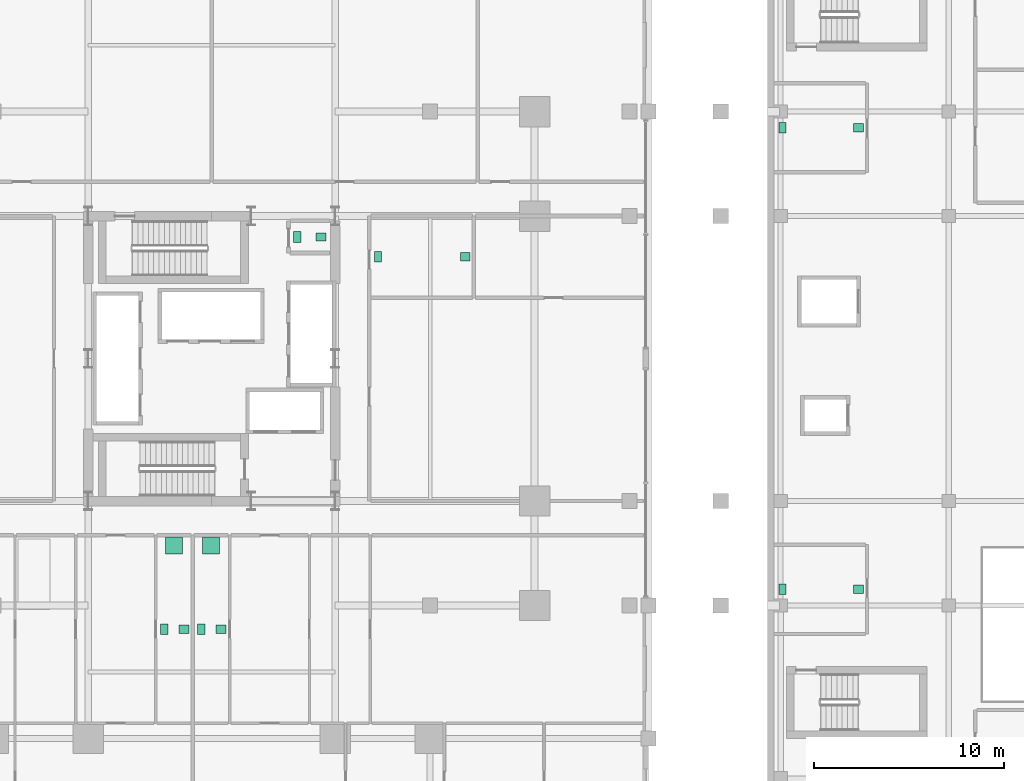
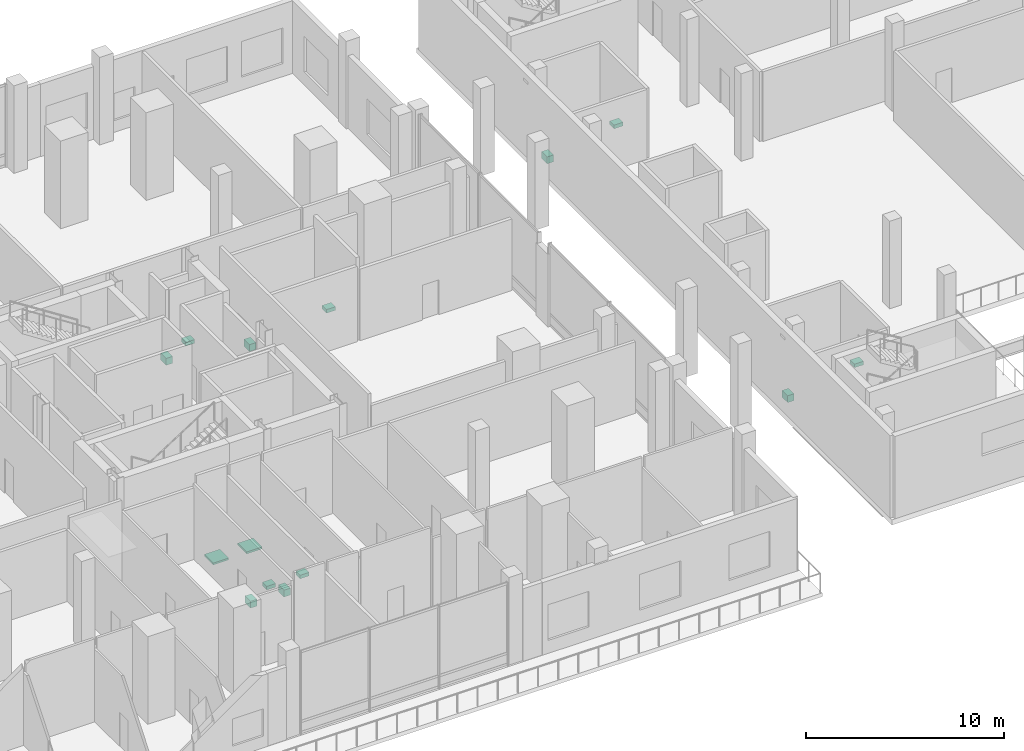
# One storey, part 32 of 32: 14 sanitary terminals.
"""IFC4 building model written with IfcOpenShell, lengths in metres."""

import ifcopenshell
import ifcopenshell.guid

model = None  # the IFC model being written
_history = None  # IfcOwnerHistory: only IFC2X3 demands one
_inside = {}  # id of a spatial element -> (the spatial element, [elements in it])
_under = {}  # id of a project, library or spatial element -> (it, [spatial elements below it])
_declared = {}  # id of a project -> (the project, [libraries it declares])
_typed = {}  # id of a type object -> (the type object, [elements of that type])
_made_of = {}  # id of a material, layer set ... -> (it, [elements and type objects made of it])


def new_model(schema):
    """Start an empty IFC model of exactly this schema.

    Asked for "IFC4X3", IfcOpenShell would pick the latest addendum, in which some entities
    have other attributes; the version numbers below select the first issue.
    IFC2X3 requires an IfcOwnerHistory on every rooted entity: one is made here for all.
    """
    global model, _history
    if schema == "IFC4X3":
        model = ifcopenshell.file(schema_version=(4, 3, 0, 0))
    else:
        model = ifcopenshell.file(schema=schema)
    _inside.clear()
    _under.clear()
    _declared.clear()
    _typed.clear()
    _made_of.clear()
    _history = None
    if model.schema == "IFC2X3":
        org = make("IfcOrganization", Name="unknown")
        user = make(
            "IfcPersonAndOrganization",
            ThePerson=make("IfcPerson", FamilyName="unknown"),
            TheOrganization=org,
        )
        app = make(
            "IfcApplication",
            ApplicationDeveloper=org,
            Version="unknown",
            ApplicationFullName="unknown",
            ApplicationIdentifier="unknown",
        )
        _history = make(
            "IfcOwnerHistory",
            OwningUser=user,
            OwningApplication=app,
            ChangeAction="ADDED",
            CreationDate=0,
        )
    return model


def make(cls, **values):
    """One entity of the class cls with the attributes given. An attribute that is None is left unset."""
    return model.create_entity(
        cls, **{name: value for name, value in values.items() if value is not None}
    )


def rooted(cls, **values):
    """An entity with a GlobalId (a new one), such as an element, a storey or a relation."""
    return make(cls, GlobalId=ifcopenshell.guid.new(), OwnerHistory=_history, **values)


def si_unit(unit_type, name, prefix=None):
    """IfcSIUnit, for example si_unit("LENGTHUNIT", "METRE", prefix="MILLI")."""
    return make("IfcSIUnit", UnitType=unit_type, Prefix=prefix, Name=name)


def assignment(units):
    """IfcUnitAssignment: the units of a project."""
    return None if units is None else make("IfcUnitAssignment", Units=units)


def point(xyz):
    """IfcCartesianPoint."""
    return None if xyz is None else make("IfcCartesianPoint", Coordinates=xyz)


def direction(xyz):
    """IfcDirection."""
    return None if xyz is None else make("IfcDirection", DirectionRatios=xyz)


def frame(location, z_axis=None, x_axis=None):
    """IfcAxis2Placement3D, a coordinate frame: its origin and axes. An axis left out is left unset."""
    return make(
        "IfcAxis2Placement3D",
        Location=point(location),
        Axis=direction(z_axis),
        RefDirection=direction(x_axis),
    )


def frame_2d(location, x_axis=None):
    """IfcAxis2Placement2D, a coordinate frame in the plane: its origin and x axis."""
    return make(
        "IfcAxis2Placement2D", Location=point(location), RefDirection=direction(x_axis)
    )


def origin():
    """The frame at (0, 0, 0) with its axes left unset."""
    return frame((0.0, 0.0, 0.0))


def origin_2d():
    """The frame at (0, 0) in the plane with its x axis left unset."""
    return frame_2d((0.0, 0.0))


def place(relative_to, where):
    """IfcLocalPlacement: puts the frame where relative to a parent placement (None: the world)."""
    return make(
        "IfcLocalPlacement", PlacementRelTo=relative_to, RelativePlacement=where
    )


def context(
    kind, dimensions, precision=None, world=None, true_north=None, identifier=None
):
    """IfcGeometricRepresentationContext, for example the 3D "Model" context."""
    return make(
        "IfcGeometricRepresentationContext",
        ContextIdentifier=identifier,
        ContextType=kind,
        CoordinateSpaceDimension=dimensions,
        Precision=precision,
        WorldCoordinateSystem=world,
        TrueNorth=true_north,
    )


def subcontext(parent, identifier, kind, view, scale=None):
    """IfcGeometricRepresentationSubContext, for example "Body" below "Model"."""
    return make(
        "IfcGeometricRepresentationSubContext",
        ContextIdentifier=identifier,
        ContextType=kind,
        ParentContext=parent,
        TargetScale=scale,
        TargetView=view,
    )


def project(units=None, contexts=None):
    """IfcProject with its units and contexts."""
    return rooted(
        "IfcProject",
        Name="project",
        RepresentationContexts=contexts,
        UnitsInContext=assignment(units),
    )


def spatial(cls, under=None, at=None, **own):
    """A site, building, storey or space (cls), placed at a placement, below another one or the project."""
    s = rooted(cls, ObjectPlacement=at, **own)
    if under is not None:
        _under.setdefault(under.id(), (under, []))[1].append(s)
    return s


def profile(cls, at=None, kind="AREA", **sizes):
    """A parametric profile (cls). Its sizes go by their IFC names, for example OverallWidth=200.0."""
    return make(cls, ProfileType=kind, Position=at, **sizes)


def rectangle(**sizes):
    """IfcRectangleProfileDef."""
    return profile("IfcRectangleProfileDef", **sizes)


def extrude(swept, where, along, depth):
    """IfcExtrudedAreaSolid: the profile swept, set in the frame where, extruded along a direction by depth."""
    return make(
        "IfcExtrudedAreaSolid",
        SweptArea=swept,
        Position=where,
        ExtrudedDirection=direction(along),
        Depth=depth,
    )


def shape(context_of_items, identifier, shape_type, items):
    """IfcShapeRepresentation: the items that make up one representation, for example the "Body"."""
    return make(
        "IfcShapeRepresentation",
        ContextOfItems=context_of_items,
        RepresentationIdentifier=identifier,
        RepresentationType=shape_type,
        Items=items,
    )


def material(Name=None, Category=None):
    """IfcMaterial."""
    return make("IfcMaterial", Name=Name, Category=Category)


def made_of(thing, what):
    """Note that an element or type object is made of a material, layer set ...; save() writes the relation."""
    if what is not None:
        _made_of.setdefault(what.id(), (what, []))[1].append(thing)
    return thing


def type_object(cls, material=None, **own):
    """A type object (cls), such as IfcWallType, which elements share."""
    return made_of(rooted(cls, **own), material)


def element(
    cls,
    number,
    at=None,
    inside=None,
    cuts=None,
    type_object=None,
    material=None,
    context=None,
    identifier="Body",
    shape_type=None,
    held_by="IfcProductDefinitionShape",
    body=None,
    shapes=None,
    **own,
):
    """One element of the class cls, such as IfcWall. Its Tag is "e" and its number.

    at: its placement. inside: the storey or other place that contains it. cuts: it is an
    opening in that element (IfcRelVoidsElement). A single representation is given by context,
    identifier, shape_type and body (its items); several are given by shapes. held_by: the class
    of the entity that holds the representations. save() writes the other relations.
    """
    e = rooted(cls, Tag="e%d" % number, ObjectPlacement=at, **own)
    if body is not None:
        shapes = [shape(context, identifier, shape_type, body)]
    if shapes is not None:
        e.Representation = make(held_by, Representations=shapes)
    if inside is not None:
        _inside.setdefault(inside.id(), (inside, []))[1].append(e)
    if cuts is not None:
        rooted(
            "IfcRelVoidsElement", RelatingBuildingElement=cuts, RelatedOpeningElement=e
        )
    if type_object is not None:
        _typed.setdefault(type_object.id(), (type_object, []))[1].append(e)
    return made_of(e, material)


def aggregate(whole, parts):
    """IfcRelAggregates: a whole, such as a stair, and the parts it consists of."""
    return rooted("IfcRelAggregates", RelatingObject=whole, RelatedObjects=parts)


def save(model, path):
    """Write the relations noted so far, then the file.

    IfcRelAggregates (storeys below a building ...), IfcRelContainedInSpatialStructure (elements
    in a storey), IfcRelDefinesByType, IfcRelAssociatesMaterial and IfcRelDeclares: one each for
    every whole, place, type object, material and project.
    """
    for whole, parts in _under.values():
        aggregate(whole, parts)
    for where, things in _inside.values():
        rooted(
            "IfcRelContainedInSpatialStructure",
            RelatedElements=things,
            RelatingStructure=where,
        )
    for kind, things in _typed.values():
        rooted("IfcRelDefinesByType", RelatedObjects=things, RelatingType=kind)
    for what, things in _made_of.values():
        rooted("IfcRelAssociatesMaterial", RelatedObjects=things, RelatingMaterial=what)
    for by, libraries in _declared.values():
        rooted("IfcRelDeclares", RelatingContext=by, RelatedDefinitions=libraries)
    model.write(path)


model = new_model("IFC4")

# Units and contexts
model_context = context("Model", 3, precision=1e-05, world=origin(), true_north=direction((0.0, 1.0)))
body_context = subcontext(model_context, "Body", "Model", "MODEL_VIEW")
ifc_project = project(units=[si_unit("LENGTHUNIT", "METRE"), si_unit("AREAUNIT", "SQUARE_METRE"), si_unit("VOLUMEUNIT", "CUBIC_METRE"), si_unit("PLANEANGLEUNIT", "RADIAN"), si_unit("MASSUNIT", "GRAM", prefix="KILO")], contexts=[model_context])

# Site, building, storey
site_placement = place(None, origin())
site = spatial("IfcSite", under=ifc_project, at=site_placement, CompositionType="ELEMENT")
building_placement = place(site_placement, origin())
building = spatial("IfcBuilding", under=site, at=building_placement, Name="Barlavira Tower and Art Museum", CompositionType="ELEMENT")
storey_placement = place(building_placement, frame((0.0, 0.0, 6.0)))
storey = spatial("IfcBuildingStorey", under=building, at=storey_placement, Name="L01", CompositionType="ELEMENT", Elevation=6.0)

# Sanitary terminals
ifc_material = material(Name="Vitreous glazed ceramic", Category="ceramic")
sanitary_terminal_type_1 = type_object("IfcSanitaryTerminalType", Name="Countertop Ceramic Wash Hand Basin", PredefinedType="WASHHANDBASIN", material=ifc_material)
for number, where, z_axis, x_axis, name in (
    (1, (5.75, 6.39990234375, 0.740234375), (0.0, 0.0, 1.0), (1.0, 0.0, 0.0), "L01-C-AWC4 Wash Basin"),
    (2, (-1.449951171875, -14.25, 0.740234375), (0.0, 0.0, 1.0), (1.0, 0.0, 0.0), "L01-P1-SW-BTH1 Wash Basin"),
    (3, (0.5, -14.25, 0.740234375), (0.0, 0.0, 1.0), (1.0, 0.0, 0.0), "L01-P1-SE-BTH1 Wash Basin"),
    (4, (13.35009765625, 5.35009765625, 0.740234375), (0.0, 0.0, 1.0), (1.0, 0.0, 0.0), "L01-POD-AWC Wash Basin"),
    (5, (34.050048828125, 12.14990234375, 0.740234375), (0.0, 0.0, 1.0), (1.0, 0.0, 0.0), "L01-MUS-WC Wash Basin"),
    (6, (34.050048828125, -12.14990234375, 0.740234375), (0.0, 0.0, 1.0), (1.0, 0.0, 0.0), "L01-MUS-AWC Wash Basin"),
):
    element("IfcSanitaryTerminal", number, at=place(storey_placement, frame(where, z_axis=z_axis, x_axis=x_axis)), inside=storey, type_object=sanitary_terminal_type_1, Name=name, PredefinedType="WASHHANDBASIN", context=body_context, shape_type="SweptSolid", body=[
        extrude(rectangle(XDim=0.52001953125, YDim=0.43994140625, at=origin_2d()), origin(), (0.0, 0.0, 1.0), 0.219970703125),
    ])
sanitary_terminal_type_2 = type_object("IfcSanitaryTerminalType", Name="Walk-In Thermostatic Rain Shower Unit", PredefinedType="SHOWER", material=ifc_material)
for number, where, z_axis, x_axis, name in (
    (7, (-1.97509765625, -9.85009765625, 0.0), (0.0, 0.0, 1.0), (1.0, 0.0, 0.0), "L01-P1-SW-BTH1 Rain Shower"),
    (8, (-0.02490234375, -9.85009765625, 0.0), (0.0, 0.0, 1.0), (1.0, 0.0, 0.0), "L01-P1-SE-BTH1 Rain Shower"),
):
    element("IfcSanitaryTerminal", number, at=place(storey_placement, frame(where, z_axis=z_axis, x_axis=x_axis)), inside=storey, type_object=sanitary_terminal_type_2, Name=name, PredefinedType="SHOWER", context=body_context, shape_type="SweptSolid", body=[
        extrude(rectangle(XDim=0.89990234375, YDim=0.89990234375, at=origin_2d()), origin(), (0.0, 0.0, 1.0), 0.1201171875),
    ])
sanitary_terminal_type_3 = type_object("IfcSanitaryTerminalType", Name="Wall-Hung Dual-Flush Vitreous WC Pan", PredefinedType="TOILETPAN", material=ifc_material)
for number, where, z_axis, x_axis, name in (
    (9, (4.5, 6.39990234375, 0.0), (0.0, 0.0, 1.0), (1.0, 0.0, 0.0), "L01-C-AWC4 WC Pan"),
    (10, (-2.5, -14.25, 0.0), (0.0, 0.0, 1.0), (1.0, 0.0, 0.0), "L01-P1-SW-BTH1 WC Pan"),
    (11, (-0.550048828125, -14.25, 0.0), (0.0, 0.0, 1.0), (1.0, 0.0, 0.0), "L01-P1-SE-BTH1 WC Pan"),
    (12, (8.75, 5.35009765625, 0.0), (0.0, 0.0, 1.0), (1.0, 0.0, 0.0), "L01-POD-AWC WC Pan"),
    (13, (30.050048828125, 12.14990234375, 0.0), (0.0, 0.0, 1.0), (1.0, 0.0, 0.0), "L01-MUS-WC WC Pan"),
    (14, (30.050048828125, -12.14990234375, 0.0), (0.0, 0.0, 1.0), (1.0, 0.0, 0.0), "L01-MUS-AWC WC Pan"),
):
    element("IfcSanitaryTerminal", number, at=place(storey_placement, frame(where, z_axis=z_axis, x_axis=x_axis)), inside=storey, type_object=sanitary_terminal_type_3, Name=name, PredefinedType="TOILETPAN", context=body_context, shape_type="SweptSolid", body=[
        extrude(rectangle(XDim=0.3798828125, YDim=0.56005859375, at=origin_2d()), origin(), (0.0, 0.0, 1.0), 0.419921875),
    ])

save(model, "model.ifc")
